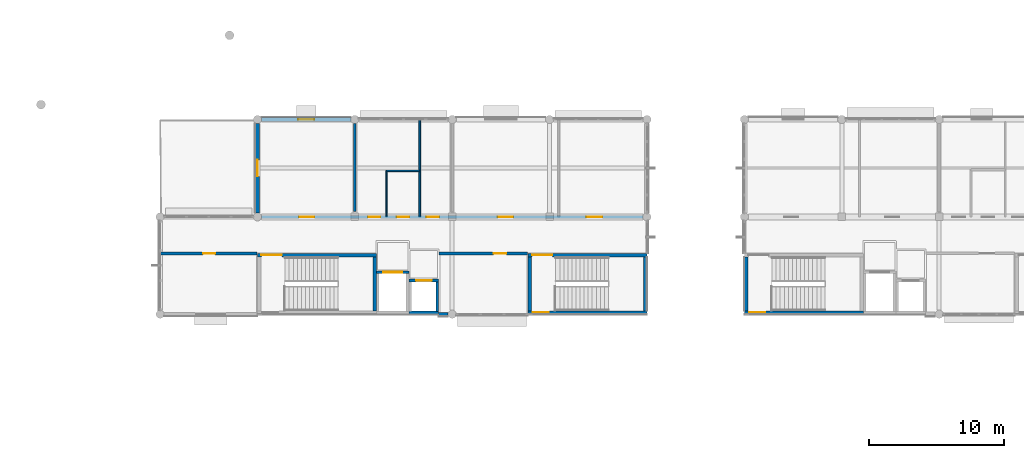
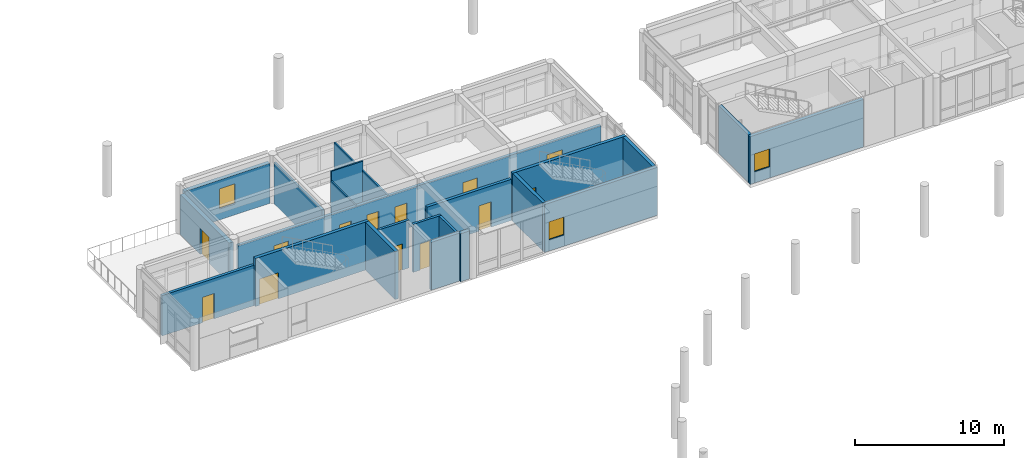
# One storey, part 14 of 29: 22 walls, 13 doors, 3 windows, 16 openings.
"""IFC4 building model written with IfcOpenShell, lengths in metres."""

from ifc_helpers import new_model, si_unit, direction, frame, frame_2d, origin, place, context, subcontext, project, spatial, rectangle, extrude, material, layer, layer_set, type_object, element, fill, save


model = new_model("IFC4")

# Units and contexts
model_context = context("Model", 3, precision=1e-05, world=origin(), true_north=direction((0.0, 1.0)))
body_context = subcontext(model_context, "Body", "Model", "MODEL_VIEW")
ifc_project = project(units=[si_unit("LENGTHUNIT", "METRE"), si_unit("AREAUNIT", "SQUARE_METRE"), si_unit("VOLUMEUNIT", "CUBIC_METRE"), si_unit("PLANEANGLEUNIT", "RADIAN"), si_unit("MASSUNIT", "GRAM", prefix="KILO")], contexts=[model_context])

# Site, building, storey
site_placement = place(None, origin())
site = spatial("IfcSite", under=ifc_project, at=site_placement, CompositionType="ELEMENT")
building_placement = place(site_placement, origin())
building = spatial("IfcBuilding", under=site, at=building_placement, Name="Namkhue Oval Health Centre", CompositionType="ELEMENT")
storey_placement = place(building_placement, frame((0.0, 0.0, 18.0)))
storey = spatial("IfcBuildingStorey", under=building, at=storey_placement, Name="L04", CompositionType="ELEMENT", Elevation=18.0)

# Wall
ifc_material_1 = material(Name="Autoclaved aerated concrete blockwork M7.5", Category="masonry")
ifc_layer_1 = layer(ifc_material_1, 0.2900390625)
ifc_layer_set_1 = layer_set([ifc_layer_1], Name="Autoclaved aerated concrete blockwork M7.5")
wall_type_1 = type_object("IfcWallType", Name="EXTERIOR ENVELOPE WALL 290", PredefinedType="STANDARD", material=ifc_layer_set_1)
wall_1_placement = place(storey_placement, frame((71.001953125, 90.0, 0.0), z_axis=(0.0, 0.0, 1.0), x_axis=(1.0, 0.0, 0.0)))
element("IfcWall", 1, at=wall_1_placement, inside=storey, type_object=wall_type_1, Name="Volume V2 L04 Exterior Envelope Wall 44", PredefinedType="STANDARD", context=body_context, shape_type="SweptSolid", body=[
    extrude(rectangle(XDim=0.703125, YDim=0.2900390625, at=frame_2d((0.3515625, 0.0))), origin(), (0.0, 0.0, 1.0), 3.93994140625),
])

# Wall, opening, window
ifc_layer_2 = layer(ifc_material_1, 0.31005859375)
ifc_layer_set_2 = layer_set([ifc_layer_2], Name="Autoclaved aerated concrete blockwork M7.5")
wall_type_2 = type_object("IfcWallType", Name="EXTERIOR ENVELOPE WALL 310", PredefinedType="STANDARD", material=ifc_layer_set_2)
wall_2_placement = place(storey_placement, frame((64.5048828125, 104.39990234375, 0.0), z_axis=(0.0, 0.0, 1.0), x_axis=(-1.0, 0.0, 0.0)))
wall_2 = element("IfcWall", 2, at=wall_2_placement, inside=storey, type_object=wall_type_2, Name="Volume V2 L04 Exterior Envelope Wall 46", PredefinedType="STANDARD", context=body_context, shape_type="SweptSolid", body=[
    extrude(rectangle(XDim=6.60986328125, YDim=0.31005859375, at=frame_2d((3.304931640625, 0.0))), origin(), (0.0, 0.0, 1.0), 3.2900390625),
])
opening_1_placement = place(wall_2_placement, frame((2.705078125, 0.0, 0.89990234375)))
opening_1 = element("IfcOpeningElement", 3, at=opening_1_placement, cuts=wall_2, Name="Opening WN-31", PredefinedType="OPENING", context=body_context, shape_type="SweptSolid", body=[
    extrude(rectangle(XDim=1.199951171875, YDim=1.659912109375, at=frame_2d((0.60009765625, 0.830078125))), frame((0.0, 0.1650390625, 0.0), z_axis=(0.0, -1.0, 0.0), x_axis=(1.0, 0.0, 0.0)), (0.0, 0.0, 1.0), 0.330078125),
])
ifc_material_2 = material(Name="Thermally broken low-E laminated double glazing", Category="glass")
window_type_1 = type_object("IfcWindowType", Name="EXTERIOR WINDOW 1200X1660", PartitioningType="SINGLE_PANEL", PredefinedType="WINDOW", material=ifc_material_2)
window_1_placement = place(opening_1_placement, origin())
window_1 = element("IfcWindow", 4, at=window_1_placement, inside=storey, type_object=window_type_1, Name="Volume V2 L04 Exterior Window 31", OverallHeight=1.659912109375, OverallWidth=1.199951171875, PartitioningType="SINGLE_PANEL", PredefinedType="WINDOW", context=body_context, shape_type="SweptSolid", body=[
    extrude(rectangle(XDim=1.199951171875, YDim=1.659912109375, at=frame_2d((0.60009765625, 0.830078125))), frame((0.0, 0.030029296875, 0.0), z_axis=(0.0, -1.0, 0.0), x_axis=(1.0, 0.0, 0.0)), (0.0, 0.0, 1.0), 0.06005859375),
])
fill(opening_1, window_1)

# Wall, opening, door
ifc_layer_3 = layer(ifc_material_1, 0.320068359375)
ifc_layer_set_3 = layer_set([ifc_layer_3], Name="Autoclaved aerated concrete blockwork M7.5")
wall_type_3 = type_object("IfcWallType", Name="EXTERIOR ENVELOPE WALL 320", PredefinedType="STANDARD", material=ifc_layer_set_3)
wall_3_placement = place(storey_placement, frame((57.60009765625, 104.10498046875, 0.0), z_axis=(0.0, 0.0, 1.0), x_axis=(0.0, -1.0, 0.0)))
wall_3 = element("IfcWall", 5, at=wall_3_placement, inside=storey, type_object=wall_type_3, Name="Volume V2 L04 Exterior Envelope Wall 47", PredefinedType="STANDARD", context=body_context, shape_type="SweptSolid", body=[
    extrude(rectangle(XDim=6.60986328125, YDim=0.320068359375, at=frame_2d((3.304931640625, 0.0))), origin(), (0.0, 0.0, 1.0), 3.2900390625),
])
opening_2_placement = place(wall_3_placement, frame((2.695068359375, 0.0, 0.0)))
opening_2 = element("IfcOpeningElement", 6, at=opening_2_placement, cuts=wall_3, Name="Opening TD-04", PredefinedType="OPENING", context=body_context, shape_type="SweptSolid", body=[
    extrude(rectangle(XDim=1.219970703125, YDim=2.14990234375, at=frame_2d((0.60986328125, 1.074951171875))), frame((0.0, 0.169921875, 0.0), z_axis=(0.0, -1.0, 0.0), x_axis=(1.0, 0.0, 0.0)), (0.0, 0.0, 1.0), 0.340087890625),
])
ifc_material_3 = material(Name="Anodised aluminium glazed entrance door", Category="aluminium")
door_type_1 = type_object("IfcDoorType", Name="TERRACE DOOR 1220X2150", OperationType="NOTDEFINED", PredefinedType="DOOR", material=ifc_material_3)
door_1_placement = place(opening_2_placement, frame((1.219970703125, 0.0, 0.0), z_axis=(0.0, 0.0, 1.0), x_axis=(-1.0, 0.0, 0.0)))
door_1 = element("IfcDoor", 7, at=door_1_placement, inside=storey, type_object=door_type_1, Name="Volume V2 L04 Roof Terrace Door 4", OperationType="SINGLE_SWING_RIGHT", OverallHeight=2.14990234375, OverallWidth=1.219970703125, PredefinedType="DOOR", context=body_context, shape_type="SweptSolid", body=[
    extrude(rectangle(XDim=1.219970703125, YDim=2.14990234375, at=frame_2d((0.60986328125, 1.074951171875))), frame((0.0, 0.02490234375, 0.0), z_axis=(0.0, -1.0, 0.0), x_axis=(1.0, 0.0, 0.0)), (0.0, 0.0, 1.0), 0.050048828125),
])
fill(opening_2, door_1)

# Wall, openings, doors
ifc_material_4 = material(Name="Lead-lined barium plasterboard radiation partition", Category="gypsum")
ifc_layer_4 = layer(ifc_material_4, 0.22509765625)
ifc_layer_set_4 = layer_set([ifc_layer_4], Name="Lead-lined barium plasterboard radiation partition")
wall_type_4 = type_object("IfcWallType", Name="FIRE PARTITION WALL 225", PredefinedType="PARTITIONING", material=ifc_layer_set_4)
wall_4_placement = place(storey_placement, frame((57.89990234375, 97.199951171875, 0.0), z_axis=(0.0, 0.0, 1.0), x_axis=(1.0, 0.0, 0.0)))
wall_4 = element("IfcWall", 8, at=wall_4_placement, inside=storey, type_object=wall_type_4, Name="Volume V2 L04 Clinical Partition Wall 83", PredefinedType="PARTITIONING", context=body_context, shape_type="SweptSolid", body=[
    extrude(rectangle(XDim=28.2001953125, YDim=0.22509765625, at=frame_2d((14.10009765625, 0.0))), origin(), (0.0, 0.0, 1.0), 3.18994140625),
])
opening_3_placement = place(wall_4_placement, frame((2.778076171875, 0.0, 0.0)))
opening_3 = element("IfcOpeningElement", 9, at=opening_3_placement, cuts=wall_4, Name="Opening CD-17", PredefinedType="OPENING", context=body_context, shape_type="SweptSolid", body=[
    extrude(rectangle(XDim=1.1298828125, YDim=2.179931640625, at=frame_2d((0.56494140625, 1.08984375))), frame((0.0, 0.12255859375, 0.0), z_axis=(0.0, -1.0, 0.0), x_axis=(1.0, 0.0, 0.0)), (0.0, 0.0, 1.0), 0.2451171875),
])
opening_4_placement = place(wall_4_placement, frame((7.889892578125, 0.0, 0.0)))
opening_4 = element("IfcOpeningElement", 10, at=opening_4_placement, cuts=wall_4, Name="Opening CD-07", PredefinedType="OPENING", context=body_context, shape_type="SweptSolid", body=[
    extrude(rectangle(XDim=0.89990234375, YDim=2.1298828125, at=frame_2d((0.449951171875, 1.06494140625))), frame((0.0, 0.12255859375, 0.0), z_axis=(0.0, -1.0, 0.0), x_axis=(1.0, 0.0, 0.0)), (0.0, 0.0, 1.0), 0.2451171875),
])
opening_5_placement = place(wall_4_placement, frame((10.010009765625, 0.0, 0.0)))
opening_5 = element("IfcOpeningElement", 11, at=opening_5_placement, cuts=wall_4, Name="Opening CD-13", PredefinedType="OPENING", context=body_context, shape_type="SweptSolid", body=[
    extrude(rectangle(XDim=0.919921875, YDim=2.179931640625, at=frame_2d((0.4599609375, 1.08984375))), frame((0.0, 0.12255859375, 0.0), z_axis=(0.0, -1.0, 0.0), x_axis=(1.0, 0.0, 0.0)), (0.0, 0.0, 1.0), 0.2451171875),
])
opening_6_placement = place(wall_4_placement, frame((12.18994140625, 0.0, 0.0)))
opening_6 = element("IfcOpeningElement", 12, at=opening_6_placement, cuts=wall_4, Name="Opening CD-02", PredefinedType="OPENING", context=body_context, shape_type="SweptSolid", body=[
    extrude(rectangle(XDim=0.93994140625, YDim=2.080078125, at=frame_2d((0.469970703125, 1.0400390625))), frame((0.0, 0.12255859375, 0.0), z_axis=(0.0, -1.0, 0.0), x_axis=(1.0, 0.0, 0.0)), (0.0, 0.0, 1.0), 0.2451171875),
])
opening_7_placement = place(wall_4_placement, frame((17.47998046875, 0.0, 0.0)))
opening_7 = element("IfcOpeningElement", 13, at=opening_7_placement, cuts=wall_4, Name="Opening CD-21", PredefinedType="OPENING", context=body_context, shape_type="SweptSolid", body=[
    extrude(rectangle(XDim=1.1201171875, YDim=2.22998046875, at=frame_2d((0.56005859375, 1.114990234375))), frame((0.0, 0.12255859375, 0.0), z_axis=(0.0, -1.0, 0.0), x_axis=(1.0, 0.0, 0.0)), (0.0, 0.0, 1.0), 0.2451171875),
])
opening_8_placement = place(wall_4_placement, frame((24.009033203125, 0.0, 0.0)))
opening_8 = element("IfcOpeningElement", 14, at=opening_8_placement, cuts=wall_4, Name="Opening CD-22", PredefinedType="OPENING", context=body_context, shape_type="SweptSolid", body=[
    extrude(rectangle(XDim=1.199951171875, YDim=2.22998046875, at=frame_2d((0.60009765625, 1.114990234375))), frame((0.0, 0.12255859375, 0.0), z_axis=(0.0, -1.0, 0.0), x_axis=(1.0, 0.0, 0.0)), (0.0, 0.0, 1.0), 0.2451171875),
])
ifc_material_5 = material(Name="High-pressure laminate timber clinical door", Category="wood")
door_type_2 = type_object("IfcDoorType", Name="CLINICAL DOOR 1120X2230", OperationType="NOTDEFINED", PredefinedType="DOOR", material=ifc_material_5)
door_2_placement = place(opening_7_placement, origin())
door_2 = element("IfcDoor", 15, at=door_2_placement, inside=storey, type_object=door_type_2, Name="Volume V2 L04 Metabolic Endocrine Clinic Door 71", OperationType="SINGLE_SWING_LEFT", OverallHeight=2.22998046875, OverallWidth=1.1201171875, PredefinedType="DOOR", context=body_context, shape_type="SweptSolid", body=[
    extrude(rectangle(XDim=1.1201171875, YDim=2.22998046875, at=frame_2d((0.56005859375, 1.114990234375))), frame((0.0, 0.02490234375, 0.0), z_axis=(0.0, -1.0, 0.0), x_axis=(1.0, 0.0, 0.0)), (0.0, 0.0, 1.0), 0.050048828125),
])
fill(opening_7, door_2)
door_type_3 = type_object("IfcDoorType", Name="CLINICAL DOOR 1130X2180", OperationType="NOTDEFINED", PredefinedType="DOOR", material=ifc_material_5)
door_3_placement = place(opening_3_placement, origin())
door_3 = element("IfcDoor", 16, at=door_3_placement, inside=storey, type_object=door_type_3, Name="Volume V2 L04 Preventive Screening Lounge Door 67", OperationType="SINGLE_SWING_LEFT", OverallHeight=2.179931640625, OverallWidth=1.1298828125, PredefinedType="DOOR", context=body_context, shape_type="SweptSolid", body=[
    extrude(rectangle(XDim=1.1298828125, YDim=2.179931640625, at=frame_2d((0.56494140625, 1.08984375))), frame((0.0, 0.02490234375, 0.0), z_axis=(0.0, -1.0, 0.0), x_axis=(1.0, 0.0, 0.0)), (0.0, 0.0, 1.0), 0.050048828125),
])
fill(opening_3, door_3)
door_type_4 = type_object("IfcDoorType", Name="CLINICAL DOOR 1200X2230", OperationType="NOTDEFINED", PredefinedType="DOOR", material=ifc_material_5)
door_4_placement = place(opening_8_placement, origin())
door_4 = element("IfcDoor", 17, at=door_4_placement, inside=storey, type_object=door_type_4, Name="Volume V2 L04 Nutrition Dietetics Consultation Door 72", OperationType="SINGLE_SWING_RIGHT", OverallHeight=2.22998046875, OverallWidth=1.199951171875, PredefinedType="DOOR", context=body_context, shape_type="SweptSolid", body=[
    extrude(rectangle(XDim=1.199951171875, YDim=2.22998046875, at=frame_2d((0.60009765625, 1.114990234375))), frame((0.0, 0.02490234375, 0.0), z_axis=(0.0, -1.0, 0.0), x_axis=(1.0, 0.0, 0.0)), (0.0, 0.0, 1.0), 0.050048828125),
])
fill(opening_8, door_4)
door_type_5 = type_object("IfcDoorType", Name="CLINICAL DOOR 900X2130", OperationType="NOTDEFINED", PredefinedType="DOOR", material=ifc_material_5)
door_5_placement = place(opening_4_placement, origin())
door_5 = element("IfcDoor", 18, at=door_5_placement, inside=storey, type_object=door_type_5, Name="Volume V2 L04 Screening Specimen Utility Room Door 68", OperationType="SINGLE_SWING_RIGHT", OverallHeight=2.1298828125, OverallWidth=0.89990234375, PredefinedType="DOOR", context=body_context, shape_type="SweptSolid", body=[
    extrude(rectangle(XDim=0.89990234375, YDim=2.1298828125, at=frame_2d((0.449951171875, 1.06494140625))), frame((0.0, 0.02490234375, 0.0), z_axis=(0.0, -1.0, 0.0), x_axis=(1.0, 0.0, 0.0)), (0.0, 0.0, 1.0), 0.050048828125),
])
fill(opening_4, door_5)
door_type_6 = type_object("IfcDoorType", Name="CLINICAL DOOR 920X2180", OperationType="NOTDEFINED", PredefinedType="DOOR", material=ifc_material_5)
door_6_placement = place(opening_5_placement, origin())
door_6 = element("IfcDoor", 19, at=door_6_placement, inside=storey, type_object=door_type_6, Name="Volume V2 L04 Accessible WC Door 69", OperationType="SINGLE_SWING_LEFT", OverallHeight=2.179931640625, OverallWidth=0.919921875, PredefinedType="DOOR", context=body_context, shape_type="SweptSolid", body=[
    extrude(rectangle(XDim=0.919921875, YDim=2.179931640625, at=frame_2d((0.4599609375, 1.08984375))), frame((0.0, 0.02490234375, 0.0), z_axis=(0.0, -1.0, 0.0), x_axis=(1.0, 0.0, 0.0)), (0.0, 0.0, 1.0), 0.050048828125),
])
fill(opening_5, door_6)
door_type_7 = type_object("IfcDoorType", Name="CLINICAL DOOR 940X2080", OperationType="NOTDEFINED", PredefinedType="DOOR", material=ifc_material_5)
door_7_placement = place(opening_6_placement, origin())
door_7 = element("IfcDoor", 20, at=door_7_placement, inside=storey, type_object=door_type_7, Name="Volume V2 L04 Public Washroom Door 70", OperationType="SINGLE_SWING_LEFT", OverallHeight=2.080078125, OverallWidth=0.93994140625, PredefinedType="DOOR", context=body_context, shape_type="SweptSolid", body=[
    extrude(rectangle(XDim=0.93994140625, YDim=2.080078125, at=frame_2d((0.469970703125, 1.0400390625))), frame((0.0, 0.02490234375, 0.0), z_axis=(0.0, -1.0, 0.0), x_axis=(1.0, 0.0, 0.0)), (0.0, 0.0, 1.0), 0.050048828125),
])
fill(opening_6, door_7)

# Wall, opening, door
wall_5_placement = place(storey_placement, frame((50.43994140625, 94.5, 0.0), z_axis=(0.0, 0.0, 1.0), x_axis=(1.0, 0.0, 0.0)))
wall_5 = element("IfcWall", 21, at=wall_5_placement, inside=storey, type_object=wall_type_4, Name="Volume V2 L04 Clinical Partition Wall 90", PredefinedType="PARTITIONING", context=body_context, shape_type="SweptSolid", body=[
    extrude(rectangle(XDim=7.14013671875, YDim=0.22509765625, at=frame_2d((3.570068359375, 0.0))), origin(), (0.0, 0.0, 1.0), 3.318115234375),
])
opening_9_placement = place(wall_5_placement, frame((3.14208984375, 0.0, 0.0)))
opening_9 = element("IfcOpeningElement", 22, at=opening_9_placement, cuts=wall_5, Name="Opening CD-01", PredefinedType="OPENING", context=body_context, shape_type="SweptSolid", body=[
    extrude(rectangle(XDim=0.89990234375, YDim=2.080078125, at=frame_2d((0.449951171875, 1.0400390625))), frame((0.0, 0.12255859375, 0.0), z_axis=(0.0, -1.0, 0.0), x_axis=(1.0, 0.0, 0.0)), (0.0, 0.0, 1.0), 0.2451171875),
])
door_type_8 = type_object("IfcDoorType", Name="CLINICAL DOOR 900X2080", OperationType="NOTDEFINED", PredefinedType="DOOR", material=ifc_material_5)
door_8_placement = place(opening_9_placement, frame((0.89990234375, 0.0, 0.0), z_axis=(0.0, 0.0, 1.0), x_axis=(-1.0, 0.0, 0.0)))
door_8 = element("IfcDoor", 23, at=door_8_placement, inside=storey, type_object=door_type_8, Name="Volume V2 L04 Preventive Lifestyle Consultation Door 73", OperationType="SINGLE_SWING_LEFT", OverallHeight=2.080078125, OverallWidth=0.89990234375, PredefinedType="DOOR", context=body_context, shape_type="SweptSolid", body=[
    extrude(rectangle(XDim=0.89990234375, YDim=2.080078125, at=frame_2d((0.449951171875, 1.0400390625))), frame((0.0, 0.02490234375, 0.0), z_axis=(0.0, -1.0, 0.0), x_axis=(1.0, 0.0, 0.0)), (0.0, 0.0, 1.0), 0.050048828125),
])
fill(opening_9, door_8)

ifc_layer_5 = layer(ifc_material_4, 0.235107421875)
ifc_layer_set_5 = layer_set([ifc_layer_5], Name="Lead-lined barium plasterboard radiation partition")
wall_type_5 = type_object("IfcWallType", Name="FIRE PARTITION WALL 235", PredefinedType="PARTITIONING", material=ifc_layer_set_5)
wall_6_placement = place(storey_placement, frame((71.02001953125, 94.5, 0.0), z_axis=(0.0, 0.0, 1.0), x_axis=(1.0, 0.0, 0.0)))
wall_6 = element("IfcWall", 24, at=wall_6_placement, inside=storey, type_object=wall_type_5, Name="Volume V2 L04 Clinical Partition Wall 91", PredefinedType="PARTITIONING", context=body_context, shape_type="SweptSolid", body=[
    extrude(rectangle(XDim=6.56005859375, YDim=0.235107421875, at=frame_2d((3.280029296875, 0.0))), origin(), (0.0, 0.0, 1.0), 3.389892578125),
])
opening_10_placement = place(wall_6_placement, frame((4.050048828125, 0.0, 0.0)))
opening_10 = element("IfcOpeningElement", 25, at=opening_10_placement, cuts=wall_6, Name="Opening CD-02", PredefinedType="OPENING", context=body_context, shape_type="SweptSolid", body=[
    extrude(rectangle(XDim=0.93994140625, YDim=2.080078125, at=frame_2d((0.469970703125, 1.0400390625))), frame((0.0, 0.12744140625, 0.0), z_axis=(0.0, -1.0, 0.0), x_axis=(1.0, 0.0, 0.0)), (0.0, 0.0, 1.0), 0.255126953125),
])
door_9_placement = place(opening_10_placement, frame((0.93994140625, 0.0, 0.0), z_axis=(0.0, 0.0, 1.0), x_axis=(-1.0, 0.0, 0.0)))
door_9 = element("IfcDoor", 26, at=door_9_placement, inside=storey, type_object=door_type_7, Name="Volume V2 L04 Thyroid Endocrine Examination Door 74", OperationType="SINGLE_SWING_RIGHT", OverallHeight=2.080078125, OverallWidth=0.93994140625, PredefinedType="DOOR", context=body_context, shape_type="SweptSolid", body=[
    extrude(rectangle(XDim=0.93994140625, YDim=2.080078125, at=frame_2d((0.469970703125, 1.0400390625))), frame((0.0, 0.02490234375, 0.0), z_axis=(0.0, -1.0, 0.0), x_axis=(1.0, 0.0, 0.0)), (0.0, 0.0, 1.0), 0.050048828125),
])
fill(opening_10, door_9)

# Walls
ifc_material_6 = material(Name="Gypsum plasterboard acoustic partition", Category="gypsum")
ifc_layer_6 = layer(ifc_material_6, 0.10009765625)
ifc_layer_set_6 = layer_set([ifc_layer_6], Name="Gypsum plasterboard acoustic partition")
wall_type_6 = type_object("IfcWallType", Name="INTERIOR PARTITION WALL 100", PredefinedType="PARTITIONING", material=ifc_layer_set_6)
wall_7_placement = place(storey_placement, frame((67.139892578125, 97.199951171875, 0.0), z_axis=(0.0, 0.0, 1.0), x_axis=(0.0, 1.0, 0.0)))
element("IfcWall", 27, at=wall_7_placement, inside=storey, type_object=wall_type_6, Name="Volume V2 L04 Clinical Partition Wall 85", PredefinedType="PARTITIONING", context=body_context, shape_type="SweptSolid", body=[
    extrude(rectangle(XDim=3.400146484375, YDim=0.10009765625, at=frame_2d((1.7001953125, 0.0))), origin(), (0.0, 0.0, 1.0), 3.18994140625),
])
ifc_layer_7 = layer(ifc_material_6, 0.110107421875)
ifc_layer_set_7 = layer_set([ifc_layer_7], Name="Gypsum plasterboard acoustic partition")
wall_type_7 = type_object("IfcWallType", Name="INTERIOR PARTITION WALL 110", PredefinedType="PARTITIONING", material=ifc_layer_set_7)
wall_8_placement = place(storey_placement, frame((67.139892578125, 100.60009765625, 0.0), z_axis=(0.0, 0.0, 1.0), x_axis=(1.0, 0.0, 0.0)))
element("IfcWall", 28, at=wall_8_placement, inside=storey, type_object=wall_type_7, Name="Volume V2 L04 Clinical Partition Wall 86", PredefinedType="PARTITIONING", context=body_context, shape_type="SweptSolid", body=[
    extrude(rectangle(XDim=2.460205078125, YDim=0.110107421875, at=frame_2d((1.22998046875, 0.0))), origin(), (0.0, 0.0, 1.0), 3.93994140625),
])
ifc_layer_8 = layer(ifc_material_6, 0.1201171875)
ifc_layer_set_8 = layer_set([ifc_layer_8], Name="Gypsum plasterboard acoustic partition")
wall_type_8 = type_object("IfcWallType", Name="INTERIOR PARTITION WALL 120", PredefinedType="PARTITIONING", material=ifc_layer_set_8)
wall_9_placement = place(storey_placement, frame((69.60009765625, 97.199951171875, 0.0), z_axis=(0.0, 0.0, 1.0), x_axis=(0.0, 1.0, 0.0)))
element("IfcWall", 29, at=wall_9_placement, inside=storey, type_object=wall_type_8, Name="Volume V2 L04 Clinical Partition Wall 87", PredefinedType="PARTITIONING", context=body_context, shape_type="SweptSolid", body=[
    extrude(rectangle(XDim=7.16015625, YDim=0.1201171875, at=frame_2d((3.580078125, 0.0))), origin(), (0.0, 0.0, 1.0), 3.18994140625),
])
ifc_layer_9 = layer(ifc_material_6, 0.159912109375)
ifc_layer_set_9 = layer_set([ifc_layer_9], Name="Gypsum plasterboard acoustic partition")
wall_type_9 = type_object("IfcWallType", Name="INTERIOR PARTITION WALL 160", PredefinedType="PARTITIONING", material=ifc_layer_set_9)
wall_10_placement = place(storey_placement, frame((64.800048828125, 97.5888671875, 0.0), z_axis=(0.0, 0.0, 1.0), x_axis=(0.0, 1.0, 0.0)))
element("IfcWall", 30, at=wall_10_placement, inside=storey, type_object=wall_type_9, Name="Volume V2 L04 Clinical Partition Wall 84", PredefinedType="PARTITIONING", context=body_context, shape_type="SweptSolid", body=[
    extrude(rectangle(XDim=6.51123046875, YDim=0.159912109375, at=frame_2d((3.255615234375, 0.0))), origin(), (0.0, 0.0, 1.0), 3.389892578125),
])

# Wall, opening, window
ifc_material_7 = material(Name="Reinforced concrete C35/45 (TCVN B40)", Category="concrete")
ifc_layer_10 = layer(ifc_material_7, 0.25)
ifc_layer_set_10 = layer_set([ifc_layer_10], Name="Reinforced concrete C35/45 (TCVN B40)")
wall_type_10 = type_object("IfcWallType", Name="SHEAR CORE WALL EXT 250", PredefinedType="SHEAR", material=ifc_layer_set_10)
wall_11_placement = place(storey_placement, frame((77.60009765625, 90.125, 0.0), z_axis=(0.0, 0.0, 1.0), x_axis=(1.0, 0.0, 0.0)))
wall_11 = element("IfcWall", 31, at=wall_11_placement, inside=storey, type_object=wall_type_10, Name="Core SC-04 L04 Shear Wall S", PredefinedType="SHEAR", context=body_context, shape_type="SweptSolid", body=[
    extrude(rectangle(XDim=8.7998046875, YDim=0.25, at=frame_2d((4.39990234375, 0.0))), origin(), (0.0, 0.0, 1.0), 3.93994140625),
])
opening_11_placement = place(wall_11_placement, frame((0.35009765625, 0.0, 0.919921875)))
opening_11 = element("IfcOpeningElement", 32, at=opening_11_placement, cuts=wall_11, Name="Opening SWN-01", PredefinedType="OPENING", context=body_context, shape_type="SweptSolid", body=[
    extrude(rectangle(XDim=1.179931640625, YDim=1.47998046875, at=frame_2d((0.58984375, 0.739990234375))), frame((0.0, 0.135009765625, 0.0), z_axis=(0.0, -1.0, 0.0), x_axis=(1.0, 0.0, 0.0)), (0.0, 0.0, 1.0), 0.27001953125),
])
ifc_material_8 = material(Name="Fire-rated insulated safety double glazing", Category="glass")
window_type_2 = type_object("IfcWindowType", Name="EXTERIOR WINDOW STAIRWELL 1180X1480", PartitioningType="SINGLE_PANEL", PredefinedType="WINDOW", material=ifc_material_8)
window_2_placement = place(opening_11_placement, origin())
window_2 = element("IfcWindow", 33, at=window_2_placement, inside=storey, type_object=window_type_2, Name="Stair ST-04 L04 Stairwell Daylight Window", OverallHeight=1.47998046875, OverallWidth=1.179931640625, PartitioningType="SINGLE_PANEL", PredefinedType="WINDOW", context=body_context, shape_type="SweptSolid", body=[
    extrude(rectangle(XDim=1.179931640625, YDim=1.47998046875, at=frame_2d((0.58984375, 0.739990234375))), frame((0.0, 0.030029296875, 0.0), z_axis=(0.0, -1.0, 0.0), x_axis=(1.0, 0.0, 0.0)), (0.0, 0.0, 1.0), 0.06005859375),
])
fill(opening_11, window_2)

# Wall
wall_12_placement = place(storey_placement, frame((86.27490234375, 90.25, 0.0), z_axis=(0.0, 0.0, 1.0), x_axis=(0.0, 1.0, 0.0)))
element("IfcWall", 34, at=wall_12_placement, inside=storey, type_object=wall_type_10, Name="Core SC-04 L04 Shear Wall E", PredefinedType="SHEAR", context=body_context, shape_type="SweptSolid", body=[
    extrude(rectangle(XDim=4.0, YDim=0.25, at=frame_2d((2.0, 0.0))), origin(), (0.0, 0.0, 1.0), 3.93994140625),
])

# Wall, opening, window
wall_13_placement = place(storey_placement, frame((93.60009765625, 90.125, 0.0), z_axis=(0.0, 0.0, 1.0), x_axis=(1.0, 0.0, 0.0)))
wall_13 = element("IfcWall", 35, at=wall_13_placement, inside=storey, type_object=wall_type_10, Name="Core SC-05 L04 Shear Wall S", PredefinedType="SHEAR", context=body_context, shape_type="SweptSolid", body=[
    extrude(rectangle(XDim=8.7998046875, YDim=0.25, at=frame_2d((4.39990234375, 0.0))), origin(), (0.0, 0.0, 1.0), 3.9150390625),
])
opening_12_placement = place(wall_13_placement, frame((0.35009765625, 0.0, 0.919921875)))
opening_12 = element("IfcOpeningElement", 36, at=opening_12_placement, cuts=wall_13, Name="Opening SWN-01", PredefinedType="OPENING", context=body_context, shape_type="SweptSolid", body=[
    extrude(rectangle(XDim=1.179931640625, YDim=1.47998046875, at=frame_2d((0.58984375, 0.739990234375))), frame((0.0, 0.135009765625, 0.0), z_axis=(0.0, -1.0, 0.0), x_axis=(1.0, 0.0, 0.0)), (0.0, 0.0, 1.0), 0.27001953125),
])
window_3_placement = place(opening_12_placement, origin())
window_3 = element("IfcWindow", 37, at=window_3_placement, inside=storey, type_object=window_type_2, Name="Stair ST-05 L04 Stairwell Daylight Window", OverallHeight=1.47998046875, OverallWidth=1.179931640625, PartitioningType="SINGLE_PANEL", PredefinedType="WINDOW", context=body_context, shape_type="SweptSolid", body=[
    extrude(rectangle(XDim=1.179931640625, YDim=1.47998046875, at=frame_2d((0.58984375, 0.739990234375))), frame((0.0, 0.030029296875, 0.0), z_axis=(0.0, -1.0, 0.0), x_axis=(1.0, 0.0, 0.0)), (0.0, 0.0, 1.0), 0.06005859375),
])
fill(opening_12, window_3)

# Walls
wall_14_placement = place(storey_placement, frame((93.72509765625, 94.25, 0.0), z_axis=(0.0, 0.0, 1.0), x_axis=(0.0, -1.0, 0.0)))
element("IfcWall", 38, at=wall_14_placement, inside=storey, type_object=wall_type_10, Name="Core SC-05 L04 Shear Wall W", PredefinedType="SHEAR", context=body_context, shape_type="SweptSolid", body=[
    extrude(rectangle(XDim=4.0, YDim=0.25, at=frame_2d((2.0, 0.0))), origin(), (0.0, 0.0, 1.0), 3.9150390625),
])
wall_15_placement = place(storey_placement, frame((68.800048828125, 90.10009765625, 0.0), z_axis=(0.0, 0.0, 1.0), x_axis=(1.0, 0.0, 0.0)))
element("IfcWall", 39, at=wall_15_placement, inside=storey, type_object=wall_type_10, Name="Lift LF-02 L04 Shaft Wall S", PredefinedType="SHEAR", context=body_context, shape_type="SweptSolid", body=[
    extrude(rectangle(XDim=2.199951171875, YDim=0.25, at=frame_2d((1.10009765625, 0.0))), origin(), (0.0, 0.0, 1.0), 3.93994140625),
])

# Wall, opening, door
ifc_layer_11 = layer(ifc_material_7, 0.199951171875)
ifc_layer_set_11 = layer_set([ifc_layer_11], Name="Reinforced concrete C35/45 (TCVN B40)")
wall_type_11 = type_object("IfcWallType", Name="SHEAR CORE WALL INT 200", PredefinedType="SHEAR", material=ifc_layer_set_11)
wall_16_placement = place(storey_placement, frame((68.800048828125, 93.10009765625, 0.0), z_axis=(0.0, 0.0, 1.0), x_axis=(-1.0, 0.0, 0.0)))
wall_16 = element("IfcWall", 40, at=wall_16_placement, inside=storey, type_object=wall_type_11, Name="Lift LF-01 L04 Shaft Wall N", PredefinedType="SHEAR", context=body_context, shape_type="SweptSolid", body=[
    extrude(rectangle(XDim=2.400146484375, YDim=0.199951171875, at=frame_2d((1.2001953125, 0.0))), origin(), (0.0, 0.0, 1.0), 3.93994140625),
])
opening_13_placement = place(wall_16_placement, frame((0.5, 0.0, 0.0)))
opening_13 = element("IfcOpeningElement", 41, at=opening_13_placement, cuts=wall_16, Name="Opening LD-01", PredefinedType="OPENING", context=body_context, shape_type="SweptSolid", body=[
    extrude(rectangle(XDim=1.39990234375, YDim=2.14990234375, at=frame_2d((0.699951171875, 1.074951171875))), frame((0.0, 0.10986328125, 0.0), z_axis=(0.0, -1.0, 0.0), x_axis=(1.0, 0.0, 0.0)), (0.0, 0.0, 1.0), 0.219970703125),
])
ifc_material_9 = material(Name="Powder-coated steel fire door assembly", Category="steel")
door_type_9 = type_object("IfcDoorType", Name="LIFT LANDING DOOR STRETCHER 1400X2150", OperationType="DOUBLE_DOOR_SLIDING", PredefinedType="DOOR", material=ifc_material_9)
door_10_placement = place(opening_13_placement, frame((1.39990234375, 0.0, 0.0), z_axis=(0.0, 0.0, 1.0), x_axis=(-1.0, 0.0, 0.0)))
door_10 = element("IfcDoor", 42, at=door_10_placement, inside=storey, type_object=door_type_9, Name="Lift LF-01 L04 Sliding Landing Door", OperationType="DOUBLE_DOOR_SLIDING", OverallHeight=2.14990234375, OverallWidth=1.39990234375, PredefinedType="DOOR", context=body_context, shape_type="SweptSolid", body=[
    extrude(rectangle(XDim=1.39990234375, YDim=2.14990234375, at=frame_2d((0.699951171875, 1.074951171875))), frame((0.0, 0.02490234375, 0.0), z_axis=(0.0, -1.0, 0.0), x_axis=(1.0, 0.0, 0.0)), (0.0, 0.0, 1.0), 0.050048828125),
])
fill(opening_13, door_10)

# Wall
wall_17_placement = place(storey_placement, frame((70.89990234375, 90.199951171875, 0.0), z_axis=(0.0, 0.0, 1.0), x_axis=(0.0, 1.0, 0.0)))
element("IfcWall", 43, at=wall_17_placement, inside=storey, type_object=wall_type_11, Name="Lift LF-02 L04 Shaft Wall E", PredefinedType="SHEAR", context=body_context, shape_type="SweptSolid", body=[
    extrude(rectangle(XDim=2.199951171875, YDim=0.199951171875, at=frame_2d((1.10009765625, 0.0))), origin(), (0.0, 0.0, 1.0), 3.93994140625),
])

# Wall, opening, door
wall_18_placement = place(storey_placement, frame((71.0, 92.5, 0.0), z_axis=(0.0, 0.0, 1.0), x_axis=(-1.0, 0.0, 0.0)))
wall_18 = element("IfcWall", 44, at=wall_18_placement, inside=storey, type_object=wall_type_11, Name="Lift LF-02 L04 Shaft Wall N", PredefinedType="SHEAR", context=body_context, shape_type="SweptSolid", body=[
    extrude(rectangle(XDim=2.199951171875, YDim=0.199951171875, at=frame_2d((1.10009765625, 0.0))), origin(), (0.0, 0.0, 1.0), 3.93994140625),
])
opening_14_placement = place(wall_18_placement, frame((0.52490234375, 0.0, 0.0)))
opening_14 = element("IfcOpeningElement", 45, at=opening_14_placement, cuts=wall_18, Name="Opening LD-02", PredefinedType="OPENING", context=body_context, shape_type="SweptSolid", body=[
    extrude(rectangle(XDim=1.14990234375, YDim=2.14990234375, at=frame_2d((0.574951171875, 1.074951171875))), frame((0.0, 0.10986328125, 0.0), z_axis=(0.0, -1.0, 0.0), x_axis=(1.0, 0.0, 0.0)), (0.0, 0.0, 1.0), 0.219970703125),
])
door_type_10 = type_object("IfcDoorType", Name="LIFT LANDING DOOR PASSENGER 1150X2150", OperationType="DOUBLE_DOOR_SLIDING", PredefinedType="DOOR", material=ifc_material_9)
door_11_placement = place(opening_14_placement, frame((1.14990234375, 0.0, 0.0), z_axis=(0.0, 0.0, 1.0), x_axis=(-1.0, 0.0, 0.0)))
door_11 = element("IfcDoor", 46, at=door_11_placement, inside=storey, type_object=door_type_10, Name="Lift LF-02 L04 Sliding Landing Door", OperationType="DOUBLE_DOOR_SLIDING", OverallHeight=2.14990234375, OverallWidth=1.14990234375, PredefinedType="DOOR", context=body_context, shape_type="SweptSolid", body=[
    extrude(rectangle(XDim=1.14990234375, YDim=2.14990234375, at=frame_2d((0.574951171875, 1.074951171875))), frame((0.0, 0.02490234375, 0.0), z_axis=(0.0, -1.0, 0.0), x_axis=(1.0, 0.0, 0.0)), (0.0, 0.0, 1.0), 0.050048828125),
])
fill(opening_14, door_11)

# Wall
ifc_layer_12 = layer(ifc_material_7, 0.25)
ifc_layer_set_12 = layer_set([ifc_layer_12], Name="Reinforced concrete C35/45 (TCVN B40)")
wall_type_12 = type_object("IfcWallType", Name="SHEAR CORE WALL INT 250", PredefinedType="SHEAR", material=ifc_layer_set_12)
wall_19_placement = place(storey_placement, frame((66.27490234375, 90.25, 0.0), z_axis=(0.0, 0.0, 1.0), x_axis=(0.0, 1.0, 0.0)))
element("IfcWall", 47, at=wall_19_placement, inside=storey, type_object=wall_type_12, Name="Core SC-03 L04 Shear Wall E", PredefinedType="SHEAR", context=body_context, shape_type="SweptSolid", body=[
    extrude(rectangle(XDim=4.0, YDim=0.25, at=frame_2d((2.0, 0.0))), origin(), (0.0, 0.0, 1.0), 3.93994140625),
])

# Wall, opening, door
wall_20_placement = place(storey_placement, frame((66.39990234375, 94.375, 0.0), z_axis=(0.0, 0.0, 1.0), x_axis=(-1.0, 0.0, 0.0)))
wall_20 = element("IfcWall", 48, at=wall_20_placement, inside=storey, type_object=wall_type_12, Name="Core SC-03 L04 Shear Wall N", PredefinedType="SHEAR", context=body_context, shape_type="SweptSolid", body=[
    extrude(rectangle(XDim=8.7998046875, YDim=0.25, at=frame_2d((4.39990234375, 0.0))), origin(), (0.0, 0.0, 1.0), 3.93994140625),
])
opening_15_placement = place(wall_20_placement, frame((7.0, 0.0, 0.0)))
opening_15 = element("IfcOpeningElement", 49, at=opening_15_placement, cuts=wall_20, Name="Opening SD-I1", PredefinedType="OPENING", context=body_context, shape_type="SweptSolid", body=[
    extrude(rectangle(XDim=1.5, YDim=2.14990234375, at=frame_2d((0.75, 1.074951171875))), frame((0.0, 0.135009765625, 0.0), z_axis=(0.0, -1.0, 0.0), x_axis=(1.0, 0.0, 0.0)), (0.0, 0.0, 1.0), 0.27001953125),
])
door_type_11 = type_object("IfcDoorType", Name="CLINICAL DOOR STAIR CORE 1500X2150", OperationType="DOUBLE_DOOR_SINGLE_SWING", PredefinedType="DOOR", material=ifc_material_9)
door_12_placement = place(opening_15_placement, origin())
door_12 = element("IfcDoor", 50, at=door_12_placement, inside=storey, type_object=door_type_11, Name="Stair ST-03 L04 Stair Enclosure Fire Door", OperationType="DOUBLE_DOOR_SINGLE_SWING", OverallHeight=2.14990234375, OverallWidth=1.5, PredefinedType="DOOR", context=body_context, shape_type="SweptSolid", body=[
    extrude(rectangle(XDim=1.5, YDim=2.14990234375, at=frame_2d((0.75, 1.074951171875))), frame((0.0, 0.02490234375, 0.0), z_axis=(0.0, -1.0, 0.0), x_axis=(1.0, 0.0, 0.0)), (0.0, 0.0, 1.0), 0.050048828125),
])
fill(opening_15, door_12)

wall_21_placement = place(storey_placement, frame((86.39990234375, 94.375, 0.0), z_axis=(0.0, 0.0, 1.0), x_axis=(-1.0, 0.0, 0.0)))
wall_21 = element("IfcWall", 51, at=wall_21_placement, inside=storey, type_object=wall_type_12, Name="Core SC-04 L04 Shear Wall N", PredefinedType="SHEAR", context=body_context, shape_type="SweptSolid", body=[
    extrude(rectangle(XDim=8.7998046875, YDim=0.25, at=frame_2d((4.39990234375, 0.0))), origin(), (0.0, 0.0, 1.0), 3.93994140625),
])
opening_16_placement = place(wall_21_placement, frame((7.0, 0.0, 0.0)))
opening_16 = element("IfcOpeningElement", 52, at=opening_16_placement, cuts=wall_21, Name="Opening SD-I1", PredefinedType="OPENING", context=body_context, shape_type="SweptSolid", body=[
    extrude(rectangle(XDim=1.5, YDim=2.14990234375, at=frame_2d((0.75, 1.074951171875))), frame((0.0, 0.135009765625, 0.0), z_axis=(0.0, -1.0, 0.0), x_axis=(1.0, 0.0, 0.0)), (0.0, 0.0, 1.0), 0.27001953125),
])
door_13_placement = place(opening_16_placement, origin())
door_13 = element("IfcDoor", 53, at=door_13_placement, inside=storey, type_object=door_type_11, Name="Stair ST-04 L04 Stair Enclosure Fire Door", OperationType="DOUBLE_DOOR_SINGLE_SWING", OverallHeight=2.14990234375, OverallWidth=1.5, PredefinedType="DOOR", context=body_context, shape_type="SweptSolid", body=[
    extrude(rectangle(XDim=1.5, YDim=2.14990234375, at=frame_2d((0.75, 1.074951171875))), frame((0.0, 0.02490234375, 0.0), z_axis=(0.0, -1.0, 0.0), x_axis=(1.0, 0.0, 0.0)), (0.0, 0.0, 1.0), 0.050048828125),
])
fill(opening_16, door_13)

# Wall
wall_22_placement = place(storey_placement, frame((77.72509765625, 94.25, 0.0), z_axis=(0.0, 0.0, 1.0), x_axis=(0.0, -1.0, 0.0)))
element("IfcWall", 54, at=wall_22_placement, inside=storey, type_object=wall_type_12, Name="Core SC-04 L04 Shear Wall W", PredefinedType="SHEAR", context=body_context, shape_type="SweptSolid", body=[
    extrude(rectangle(XDim=4.0, YDim=0.25, at=frame_2d((2.0, 0.0))), origin(), (0.0, 0.0, 1.0), 3.93994140625),
])

save(model, "model.ifc")
